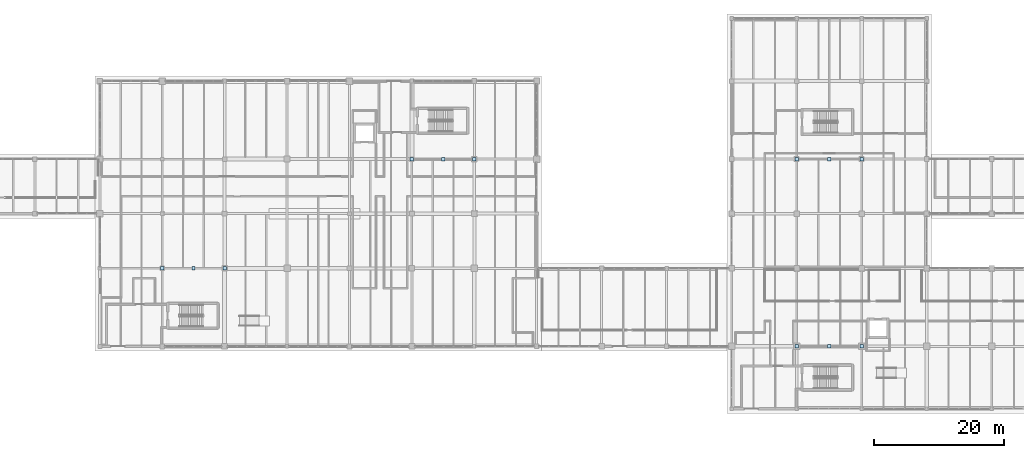
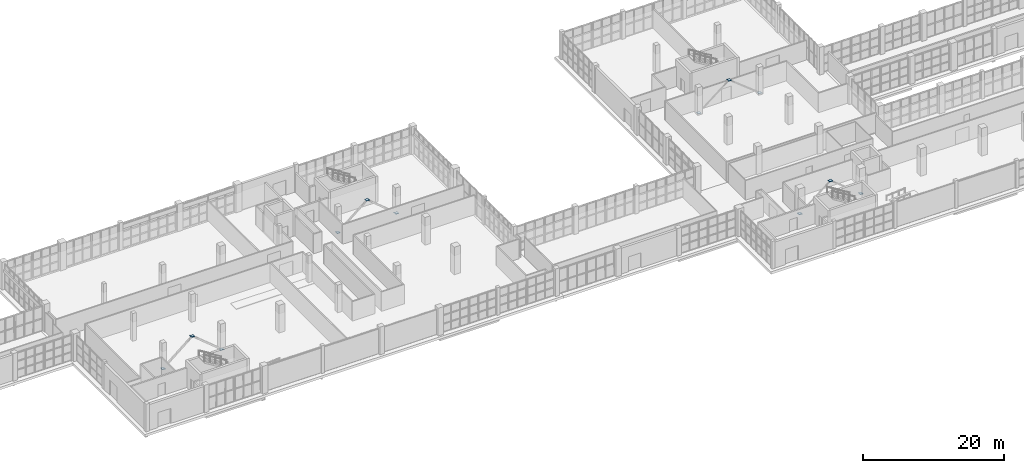
# One storey, part 96 of 121: 12 plates.
"""IFC4 building model written with IfcOpenShell, lengths in metres."""

from ifc_helpers import new_model, si_unit, direction, frame, origin, origin_2d, place, context, subcontext, project, spatial, rectangle, extrude, material, layer, layer_set, type_object, element, save


model = new_model("IFC4")

# Units and contexts
model_context = context("Model", 3, precision=1e-05, world=origin(), true_north=direction((0.0, 1.0)))
body_context = subcontext(model_context, "Body", "Model", "MODEL_VIEW")
ifc_project = project(units=[si_unit("LENGTHUNIT", "METRE"), si_unit("AREAUNIT", "SQUARE_METRE"), si_unit("VOLUMEUNIT", "CUBIC_METRE"), si_unit("PLANEANGLEUNIT", "RADIAN"), si_unit("MASSUNIT", "GRAM", prefix="KILO")], contexts=[model_context])

# Site, building, storey
site_placement = place(None, origin())
site = spatial("IfcSite", under=ifc_project, at=site_placement, CompositionType="ELEMENT")
building_placement = place(site_placement, origin())
building = spatial("IfcBuilding", under=site, at=building_placement, Name="Zereglee Splitstone Museum", CompositionType="ELEMENT")
storey_placement = place(building_placement, origin())
storey = spatial("IfcBuildingStorey", under=building, at=storey_placement, Name="L00", CompositionType="ELEMENT", Elevation=0.0)

# Plates
ifc_material = material(Name="Steel S355J2", Category="steel")
ifc_layer = layer(ifc_material, 0.030029296875)
ifc_layer_set = layer_set([ifc_layer], Name="Steel S355J2")
plate_type = type_object("IfcPlateType", Name="NP-04", PredefinedType="SHEET", material=ifc_layer_set)
for number, where, z_axis, x_axis, name in (
    (1, (87.60009765625, 21.60009765625, 0.10498046875), (0.0, 0.0, 1.0), (1.0, 0.0, 0.0), "CBF Brace Gusset Cap L00-005"),
    (2, (97.199951171875, 21.60009765625, 0.10498046875), (0.0, 0.0, 1.0), (1.0, 0.0, 0.0), "CBF Brace Gusset Cap L00-005"),
    (3, (92.39990234375, 21.60009765625, 4.06494140625), (0.0, 0.0, 1.0), (1.0, 0.0, 0.0), "CBF Brace Gusset Cap L00-005"),
    (4, (126.0, 38.39990234375, 0.10498046875), (0.0, 0.0, 1.0), (1.0, 0.0, 0.0), "CBF Brace Gusset Cap L00-010"),
    (5, (135.60009765625, 38.39990234375, 0.10498046875), (0.0, 0.0, 1.0), (1.0, 0.0, 0.0), "CBF Brace Gusset Cap L00-010"),
    (6, (130.800048828125, 38.39990234375, 4.06494140625), (0.0, 0.0, 1.0), (1.0, 0.0, 0.0), "CBF Brace Gusset Cap L00-010"),
    (7, (185.199951171875, 9.60009765625, 0.10498046875), (0.0, 0.0, 1.0), (1.0, 0.0, 0.0), "CBF Brace Gusset Cap L00-015"),
    (8, (195.199951171875, 9.60009765625, 0.10498046875), (0.0, 0.0, 1.0), (1.0, 0.0, 0.0), "CBF Brace Gusset Cap L00-015"),
    (9, (190.199951171875, 9.60009765625, 4.06494140625), (0.0, 0.0, 1.0), (1.0, 0.0, 0.0), "CBF Brace Gusset Cap L00-015"),
    (10, (185.199951171875, 38.39990234375, 0.10498046875), (0.0, 0.0, 1.0), (1.0, 0.0, 0.0), "CBF Brace Gusset Cap L00-019"),
    (11, (195.199951171875, 38.39990234375, 0.10498046875), (0.0, 0.0, 1.0), (1.0, 0.0, 0.0), "CBF Brace Gusset Cap L00-019"),
    (12, (190.199951171875, 38.39990234375, 4.06494140625), (0.0, 0.0, 1.0), (1.0, 0.0, 0.0), "CBF Brace Gusset Cap L00-019"),
):
    element("IfcPlate", number, at=place(storey_placement, frame(where, z_axis=z_axis, x_axis=x_axis)), inside=storey, type_object=plate_type, Name=name, PredefinedType="SHEET", context=body_context, shape_type="SweptSolid", body=[
        extrude(rectangle(XDim=0.52001953125, YDim=0.52001953125, at=origin_2d()), origin(), (0.0, 0.0, 1.0), 0.030029296875),
    ])

save(model, "model.ifc")
